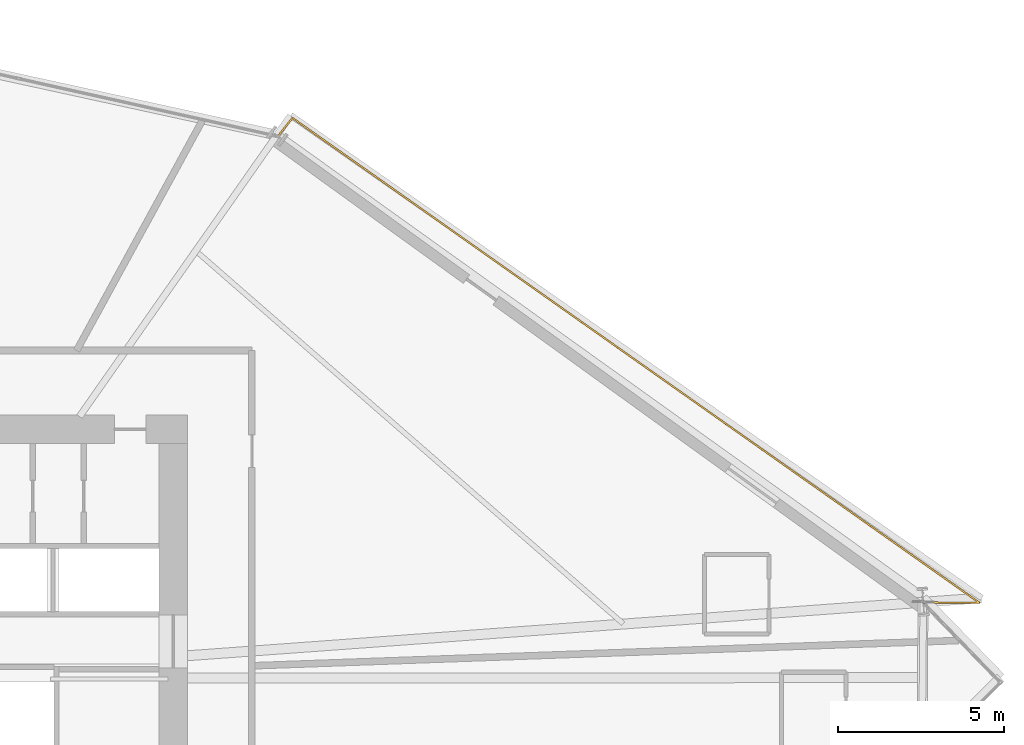
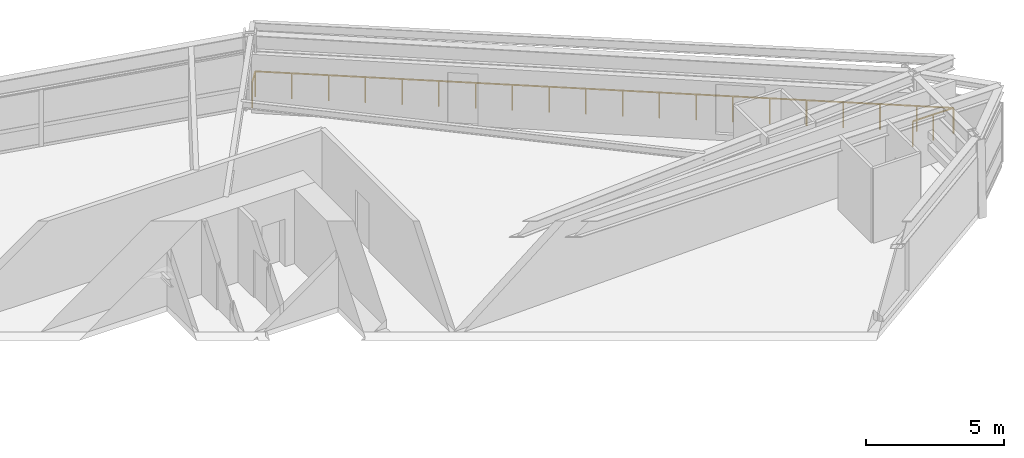
# One storey, part 24 of 24: 1 railing.
"""IFC4 building model written with IfcOpenShell, lengths in metres."""

from ifc_helpers import new_model, si_unit, direction, frame, origin, origin_2d, place, context, subcontext, project, spatial, rectangle, extrude, material, type_object, element, save


model = new_model("IFC4")

# Units and contexts
model_context = context("Model", 3, precision=1e-05, world=origin(), true_north=direction((0.0, 1.0)))
body_context = subcontext(model_context, "Body", "Model", "MODEL_VIEW")
ifc_project = project(units=[si_unit("LENGTHUNIT", "METRE"), si_unit("AREAUNIT", "SQUARE_METRE"), si_unit("VOLUMEUNIT", "CUBIC_METRE"), si_unit("PLANEANGLEUNIT", "RADIAN"), si_unit("MASSUNIT", "GRAM", prefix="KILO")], contexts=[model_context])

# Site, building, storey
site_placement = place(None, origin())
site = spatial("IfcSite", under=ifc_project, at=site_placement, CompositionType="ELEMENT")
building_placement = place(site_placement, origin())
building = spatial("IfcBuilding", under=site, at=building_placement, Name="Olszyna Solenne Hotel", CompositionType="ELEMENT")
storey_placement = place(building_placement, frame((0.0, 0.0, 36.39990234375)))
storey = spatial("IfcBuildingStorey", under=building, at=storey_placement, Name="L08", CompositionType="ELEMENT", Elevation=36.39990234375)

# Railing
ifc_material = material(Name="Anodised bronze aluminium", Category="aluminium")
railing_type = type_object("IfcRailingType", Name="GR-110", PredefinedType="BALUSTRADE", material=ifc_material)
railing_placement = place(storey_placement, frame((68.96533203125, 28.894287109375, 0.0)))
element("IfcRailing", 1, at=railing_placement, inside=storey, type_object=railing_type, Name="Loggia balcony balustrade guard GR-L08-LG1", PredefinedType="BALUSTRADE", context=body_context, shape_type="SweptSolid", body=[
    extrude(rectangle(XDim=0.048095703125, YDim=0.048095703125, at=origin_2d()), frame((0.0, 0.0, 1.1259765625), z_axis=(0.999992410274, -0.003896074326, 0.0), x_axis=(0.003896074326, 0.999992410274, 0.0)), (0.0, 0.0, 1.0), 1.69189453125),
    extrude(rectangle(XDim=0.048095703125, YDim=0.048095703125, at=origin_2d()), frame((1.69189453125, -0.006591796875, 1.1259765625), z_axis=(-0.817006522768, 0.576628426073, 0.0), x_axis=(-0.576628426073, -0.817006522768, 0.0)), (0.0, 0.0, 1.0), 25.3759765625),
    extrude(rectangle(XDim=0.048095703125, YDim=0.048095703125, at=origin_2d()), frame((-19.04052734375, 14.6259765625, 1.1259765625), z_axis=(-0.622341477421, -0.782745862641, 0.0), x_axis=(0.782745862641, -0.622341477421, 0.0)), (0.0, 0.0, 1.0), 0.709228515625),
    extrude(rectangle(XDim=0.0419921875, YDim=0.0419921875, at=origin_2d()), origin(), (0.0, 0.0, 1.0), 1.101806640625),
    extrude(rectangle(XDim=0.0419921875, YDim=0.0419921875, at=origin_2d()), frame((0.845947265625, -0.00341796875, 0.0)), (0.0, 0.0, 1.0), 1.101806640625),
    extrude(rectangle(XDim=0.0419921875, YDim=0.0419921875, at=origin_2d()), frame((1.69189453125, -0.006591796875, 0.0)), (0.0, 0.0, 1.0), 1.101806640625),
    extrude(rectangle(XDim=0.0419921875, YDim=0.0419921875, at=origin_2d()), frame((0.600830078125, 0.763427734375, 0.0)), (0.0, 0.0, 1.0), 1.101806640625),
    extrude(rectangle(XDim=0.0419921875, YDim=0.0419921875, at=origin_2d()), frame((-0.490478515625, 1.53369140625, 0.0)), (0.0, 0.0, 1.0), 1.101806640625),
    extrude(rectangle(XDim=0.0419921875, YDim=0.0419921875, at=origin_2d()), frame((-1.58154296875, 2.3037109375, 0.0)), (0.0, 0.0, 1.0), 1.101806640625),
    extrude(rectangle(XDim=0.0419921875, YDim=0.0419921875, at=origin_2d()), frame((-2.6728515625, 3.073974609375, 0.0)), (0.0, 0.0, 1.0), 1.101806640625),
    extrude(rectangle(XDim=0.0419921875, YDim=0.0419921875, at=origin_2d()), frame((-3.763916015625, 3.843994140625, 0.0)), (0.0, 0.0, 1.0), 1.101806640625),
    extrude(rectangle(XDim=0.0419921875, YDim=0.0419921875, at=origin_2d()), frame((-4.855224609375, 4.6142578125, 0.0)), (0.0, 0.0, 1.0), 1.101806640625),
    extrude(rectangle(XDim=0.0419921875, YDim=0.0419921875, at=origin_2d()), frame((-5.9462890625, 5.38427734375, 0.0)), (0.0, 0.0, 1.0), 1.101806640625),
    extrude(rectangle(XDim=0.0419921875, YDim=0.0419921875, at=origin_2d()), frame((-7.03759765625, 6.154541015625, 0.0)), (0.0, 0.0, 1.0), 1.101806640625),
    extrude(rectangle(XDim=0.0419921875, YDim=0.0419921875, at=origin_2d()), frame((-8.128662109375, 6.924560546875, 0.0)), (0.0, 0.0, 1.0), 1.101806640625),
    extrude(rectangle(XDim=0.0419921875, YDim=0.0419921875, at=origin_2d()), frame((-9.219970703125, 7.69482421875, 0.0)), (0.0, 0.0, 1.0), 1.101806640625),
    extrude(rectangle(XDim=0.0419921875, YDim=0.0419921875, at=origin_2d()), frame((-10.31103515625, 8.46484375, 0.0)), (0.0, 0.0, 1.0), 1.101806640625),
    extrude(rectangle(XDim=0.0419921875, YDim=0.0419921875, at=origin_2d()), frame((-11.40234375, 9.235107421875, 0.0)), (0.0, 0.0, 1.0), 1.101806640625),
    extrude(rectangle(XDim=0.0419921875, YDim=0.0419921875, at=origin_2d()), frame((-12.493408203125, 10.005126953125, 0.0)), (0.0, 0.0, 1.0), 1.101806640625),
    extrude(rectangle(XDim=0.0419921875, YDim=0.0419921875, at=origin_2d()), frame((-13.584716796875, 10.775390625, 0.0)), (0.0, 0.0, 1.0), 1.101806640625),
    extrude(rectangle(XDim=0.0419921875, YDim=0.0419921875, at=origin_2d()), frame((-14.67578125, 11.54541015625, 0.0)), (0.0, 0.0, 1.0), 1.101806640625),
    extrude(rectangle(XDim=0.0419921875, YDim=0.0419921875, at=origin_2d()), frame((-15.76708984375, 12.315673828125, 0.0)), (0.0, 0.0, 1.0), 1.101806640625),
    extrude(rectangle(XDim=0.0419921875, YDim=0.0419921875, at=origin_2d()), frame((-16.858154296875, 13.085693359375, 0.0)), (0.0, 0.0, 1.0), 1.101806640625),
    extrude(rectangle(XDim=0.0419921875, YDim=0.0419921875, at=origin_2d()), frame((-17.949462890625, 13.85595703125, 0.0)), (0.0, 0.0, 1.0), 1.101806640625),
    extrude(rectangle(XDim=0.0419921875, YDim=0.0419921875, at=origin_2d()), frame((-19.04052734375, 14.6259765625, 0.0)), (0.0, 0.0, 1.0), 1.101806640625),
    extrude(rectangle(XDim=0.0419921875, YDim=0.0419921875, at=origin_2d()), frame((-19.48193359375, 14.07080078125, 0.0)), (0.0, 0.0, 1.0), 1.101806640625),
])

save(model, "model.ifc")
